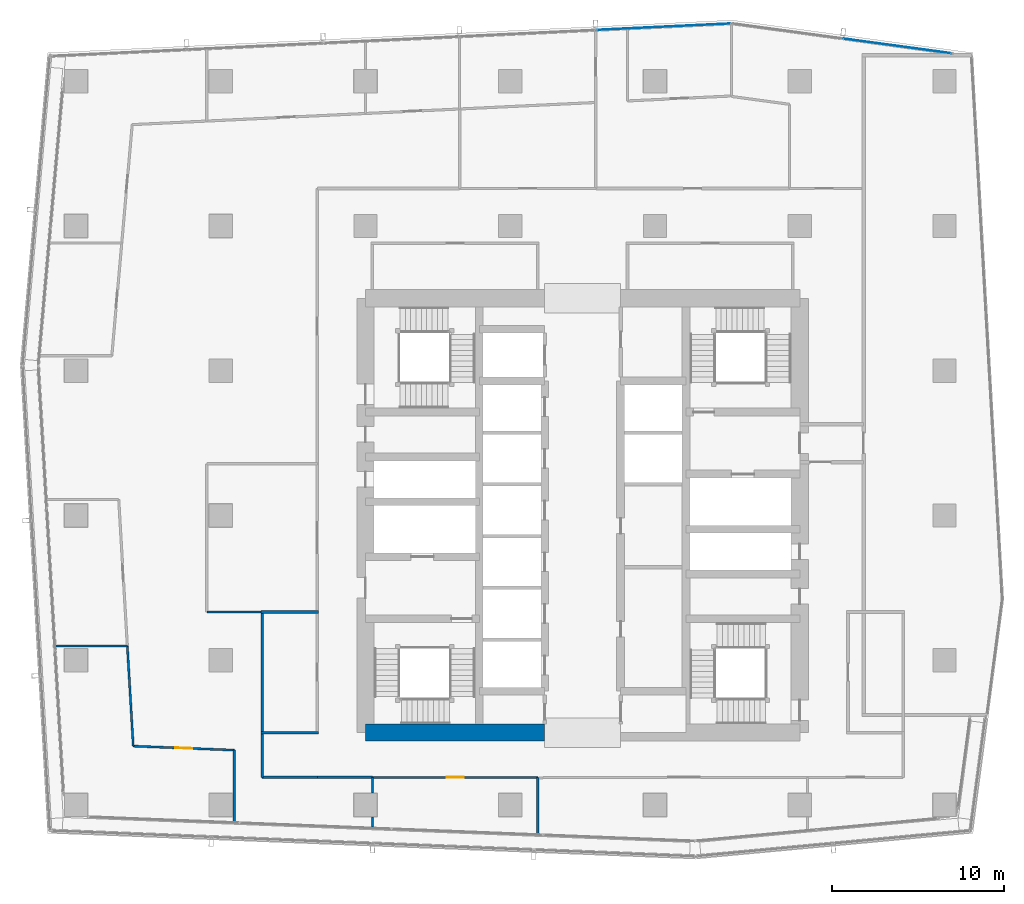
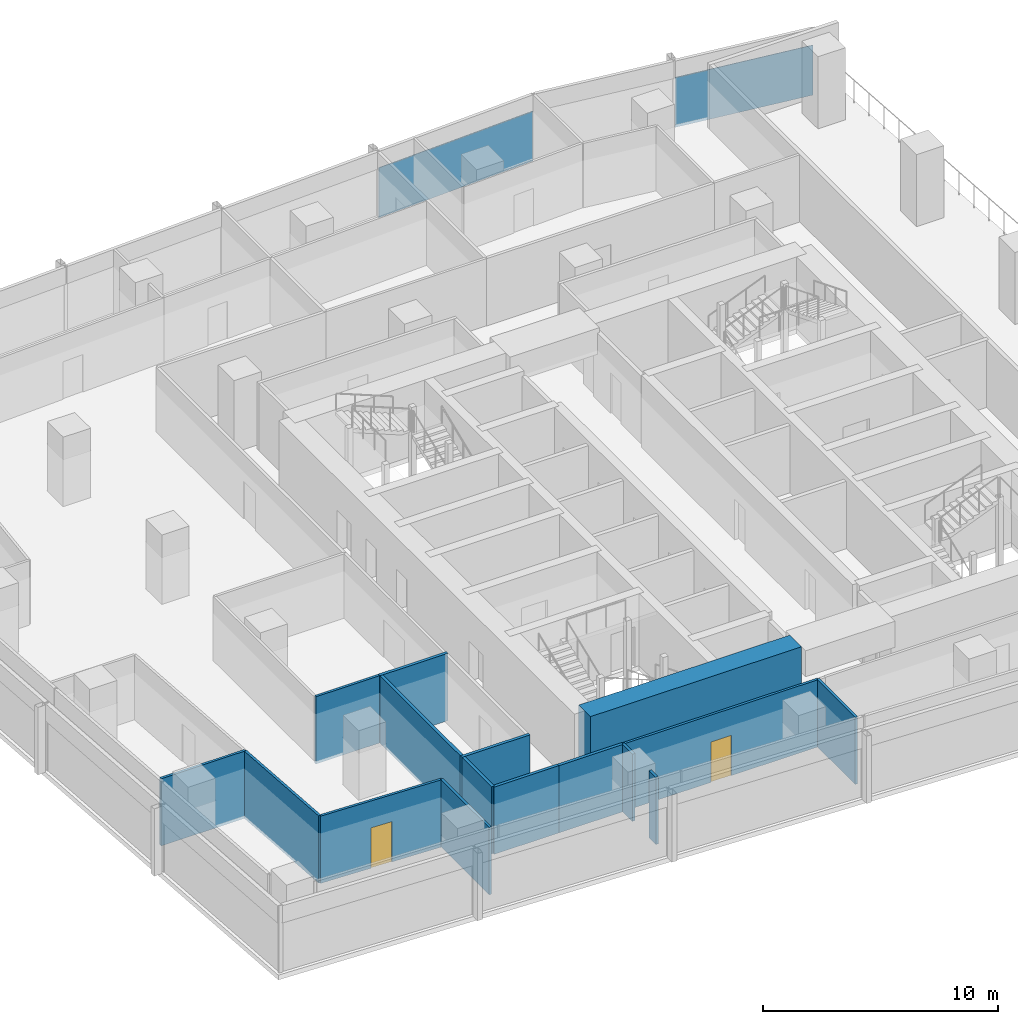
# One storey, part 22 of 33: 16 walls, 2 doors, 2 plates, 2 openings, 2 elements without a shape of their own.
"""IFC4 building model written with IfcOpenShell, lengths in metres."""

from ifc_helpers import new_model, si_unit, direction, frame, frame_2d, origin, origin_2d, place, context, subcontext, project, spatial, rectangle, extrude, material, layer, layer_set, type_object, element, fill, aggregate, save


model = new_model("IFC4")

# Units and contexts
model_context = context("Model", 3, precision=1e-05, world=origin(), true_north=direction((0.0, 1.0)))
body_context = subcontext(model_context, "Body", "Model", "MODEL_VIEW")
ifc_project = project(units=[si_unit("LENGTHUNIT", "METRE"), si_unit("AREAUNIT", "SQUARE_METRE"), si_unit("VOLUMEUNIT", "CUBIC_METRE"), si_unit("PLANEANGLEUNIT", "RADIAN"), si_unit("MASSUNIT", "GRAM", prefix="KILO")], contexts=[model_context])

# Site, building, storey
site_placement = place(None, origin())
site = spatial("IfcSite", under=ifc_project, at=site_placement, CompositionType="ELEMENT")
building_placement = place(site_placement, origin())
building = spatial("IfcBuilding", under=site, at=building_placement, Name="Rekha Terrace Tower", CompositionType="ELEMENT")
storey_placement = place(building_placement, frame((0.0, 0.0, 206.449951171875)))
storey = spatial("IfcBuildingStorey", under=building, at=storey_placement, Name="L52", CompositionType="ELEMENT", Elevation=206.449951171875)

# Curtain wall, plate
ifc_material_1 = material(Name="Aluminium framing", Category="aluminium")
curtain_wall_type = type_object("IfcCurtainWallType", Name="CW3 north unitised glazing", PredefinedType="USERDEFINED", material=ifc_material_1)
curtain_wall_1_placement = place(storey_placement, origin())
curtain_wall_1 = element("IfcCurtainWall", 1, at=curtain_wall_1_placement, inside=storey, type_object=curtain_wall_type, Name="CW3 unitised curtain wall", ObjectType="UNITISED CURTAIN WALL", PredefinedType="USERDEFINED")
ifc_material_2 = material(Name="Double-glazed unit 28", Category="glass")
ifc_layer_1 = layer(ifc_material_2, 0.028076171875)
ifc_layer_set_1 = layer_set([ifc_layer_1], Name="Double-glazed unit 28")
plate_type = type_object("IfcPlateType", Name="CW3 jumbo vision panel, double-glazed unit 28", PredefinedType="CURTAIN_PANEL", material=ifc_layer_set_1)
plate_1_placement = place(storey_placement, frame((56.053466796875, 60.846435546875, 0.0), z_axis=(0.0, 0.0, 1.0), x_axis=(-0.990867270506, 0.134840840399, 0.0)))
plate_1 = element("IfcPlate", 2, at=plate_1_placement, type_object=plate_type, Name="CW3 panel 1.1", PredefinedType="CURTAIN_PANEL", context=body_context, shape_type="SweptSolid", body=[
    extrude(rectangle(XDim=6.348388671875, YDim=0.028076171875, at=origin_2d()), origin(), (0.0, 0.0, 1.0), 2.60009765625),
])
aggregate(curtain_wall_1, [plate_1])

curtain_wall_2_placement = place(storey_placement, origin())
curtain_wall_2 = element("IfcCurtainWall", 3, at=curtain_wall_2_placement, inside=storey, type_object=curtain_wall_type, Name="CW3 unitised curtain wall", ObjectType="UNITISED CURTAIN WALL", PredefinedType="USERDEFINED")
plate_2_placement = place(storey_placement, frame((42.50732421875, 61.95947265625, 0.0), z_axis=(0.0, 0.0, 1.0), x_axis=(-0.998858906204, -0.047758616983, 0.0)))
plate_2 = element("IfcPlate", 4, at=plate_2_placement, type_object=plate_type, Name="CW3 panel 1.1", PredefinedType="CURTAIN_PANEL", context=body_context, shape_type="SweptSolid", body=[
    extrude(rectangle(XDim=7.81298828125, YDim=0.028076171875, at=origin_2d()), origin(), (0.0, 0.0, 1.0), 2.60009765625),
])
aggregate(curtain_wall_2, [plate_2])

# Walls
ifc_material_3 = material(Name="Concrete M60", Category="concrete")
ifc_layer_2 = layer(ifc_material_3, 1.0)
ifc_layer_set_2 = layer_set([ifc_layer_2], Name="Concrete M60")
wall_type_1 = type_object("IfcWallType", Name="SW3 1000 core outer shear wall", PredefinedType="SHEAR", material=ifc_layer_set_2)
wall_1_placement = place(storey_placement, frame((25.199951171875, 21.0, 0.0), z_axis=(0.0, 0.0, 1.0), x_axis=(1.0, 0.0, 0.0)))
element("IfcWall", 5, at=wall_1_placement, inside=storey, type_object=wall_type_1, Name="Core wall S1 L52", PredefinedType="SHEAR", context=body_context, shape_type="SweptSolid", body=[
    extrude(rectangle(XDim=10.400146484375, YDim=1.0, at=frame_2d((5.2001953125, 0.0))), origin(), (0.0, 0.0, 1.0), 3.75),
])
ifc_material_4 = material(Name="Concrete block masonry, 1 hour", Category="masonry")
ifc_layer_3 = layer(ifc_material_4, 0.14990234375)
ifc_layer_set_3 = layer_set([ifc_layer_3], Name="Concrete block masonry, 1 hour")
wall_type_2 = type_object("IfcWallType", Name="WP2 150 tenancy partition", PredefinedType="PARTITIONING", material=ifc_layer_set_3)
for number, where, z_axis, x_axis, name in (
    (6, (19.125, 21.0, 0.0), (0.0, 0.0, 1.0), (1.0, 0.0, 0.0), "Men's WC wall L52"),
    (7, (19.125, 28.0, 0.0), (0.0, 0.0, 1.0), (1.0, 0.0, 0.0), "Men's WC wall L52"),
):
    element("IfcWall", number, at=place(storey_placement, frame(where, z_axis=z_axis, x_axis=x_axis)), inside=storey, type_object=wall_type_2, Name=name, PredefinedType="PARTITIONING", context=body_context, shape_type="SweptSolid", body=[
        extrude(rectangle(XDim=3.35009765625, YDim=0.14990234375, at=frame_2d((1.675048828125, 0.0))), origin(), (0.0, 0.0, 1.0), 3.5),
    ])
wall_2_placement = place(storey_placement, frame((19.199951171875, 21.074951171875, 0.0), z_axis=(0.0, 0.0, 1.0), x_axis=(0.0, 1.0, 0.0)))
element("IfcWall", 8, at=wall_2_placement, inside=storey, type_object=wall_type_2, Name="Men's WC wall L52", PredefinedType="PARTITIONING", context=body_context, shape_type="SweptSolid", body=[
    extrude(rectangle(XDim=6.85009765625, YDim=0.14990234375, at=frame_2d((3.425048828125, 0.0))), origin(), (0.0, 0.0, 1.0), 3.5),
])
wall_3_placement = place(storey_placement, frame((19.199951171875, 20.925048828125, 0.0), z_axis=(0.0, 0.0, 1.0), x_axis=(0.0, -1.0, 0.0)))
element("IfcWall", 9, at=wall_3_placement, inside=storey, type_object=wall_type_2, Name="Partition L52-O2", PredefinedType="PARTITIONING", context=body_context, shape_type="SweptSolid", body=[
    extrude(rectangle(XDim=2.525146484375, YDim=0.14990234375, at=frame_2d((1.2626953125, 0.0))), origin(), (0.0, 0.0, 1.0), 3.5),
])
wall_4_placement = place(storey_placement, frame((19.199951171875, 18.39990234375, 0.0), z_axis=(0.0, 0.0, 1.0), x_axis=(1.0, 0.0, 0.0)))
element("IfcWall", 10, at=wall_4_placement, inside=storey, type_object=wall_type_2, Name="Partition L52-O2", PredefinedType="PARTITIONING", context=body_context, shape_type="SweptSolid", body=[
    extrude(rectangle(XDim=3.199951171875, YDim=0.14990234375, at=frame_2d((1.60009765625, 0.0))), origin(), (0.0, 0.0, 1.0), 3.5),
])
wall_5_placement = place(storey_placement, frame((22.39990234375, 18.39990234375, 0.0), z_axis=(0.0, 0.0, 1.0), x_axis=(1.0, 0.0, 0.0)))
element("IfcWall", 11, at=wall_5_placement, inside=storey, type_object=wall_type_2, Name="Partition L52-O2", PredefinedType="PARTITIONING", context=body_context, shape_type="SweptSolid", body=[
    extrude(rectangle(XDim=3.201171875, YDim=0.14990234375, at=frame_2d((1.6005859375, 0.0))), origin(), (0.0, 0.0, 1.0), 3.5),
])
ifc_material_5 = material(Name="Two layers of fire-rated gypsum board each side on steel studs, acoustic quilt, 1 hour", Category="steel")
ifc_layer_4 = layer(ifc_material_5, 0.125)
ifc_layer_set_4 = layer_set([ifc_layer_4], Name="Two layers of fire-rated gypsum board each side on steel studs, acoustic quilt, 1 hour")
wall_type_3 = type_object("IfcWallType", Name="WP3 125 office partition", PredefinedType="PARTITIONING", material=ifc_layer_set_4)
wall_6_placement = place(storey_placement, frame((11.37890625, 26.02392578125, 0.0), z_axis=(0.0, 0.0, 1.0), x_axis=(-1.0, 0.0, 0.0)))
element("IfcWall", 12, at=wall_6_placement, inside=storey, type_object=wall_type_3, Name="Partition L52-09", PredefinedType="PARTITIONING", context=body_context, shape_type="SweptSolid", body=[
    extrude(rectangle(XDim=4.156982421875, YDim=0.125, at=frame_2d((2.07861328125, 0.0))), origin(), (0.0, 0.0, 1.0), 3.5),
])
wall_7_placement = place(storey_placement, frame((17.5849609375, 19.98193359375, 0.0), z_axis=(0.0, 0.0, 1.0), x_axis=(0.0, -1.0, 0.0)))
element("IfcWall", 13, at=wall_7_placement, inside=storey, type_object=wall_type_3, Name="Partition L52-10", PredefinedType="PARTITIONING", context=body_context, shape_type="SweptSolid", body=[
    extrude(rectangle(XDim=4.15283203125, YDim=0.125, at=frame_2d((2.076416015625, 0.0))), origin(), (0.0, 0.0, 1.0), 3.5),
])
wall_8_placement = place(storey_placement, frame((11.37890625, 26.02294921875, 0.0), z_axis=(0.0, 0.0, 1.0), x_axis=(0.058800752748, -0.998269738836, 0.0)))
element("IfcWall", 14, at=wall_8_placement, inside=storey, type_object=wall_type_3, Name="Partition L52-10", PredefinedType="PARTITIONING", context=body_context, shape_type="SweptSolid", body=[
    extrude(rectangle(XDim=5.81689453125, YDim=0.125, at=frame_2d((2.908447265625, 0.0))), origin(), (0.0, 0.0, 1.0), 3.5),
])

# Wall, opening, door
wall_9_placement = place(storey_placement, frame((11.720947265625, 20.216064453125, 0.0), z_axis=(0.0, 0.0, 1.0), x_axis=(0.999203880049, -0.039894938214, 0.0)))
wall_9 = element("IfcWall", 15, at=wall_9_placement, inside=storey, type_object=wall_type_3, Name="Partition L52-10", PredefinedType="PARTITIONING", context=body_context, shape_type="SweptSolid", body=[
    extrude(rectangle(XDim=5.86865234375, YDim=0.125, at=frame_2d((2.934326171875, 0.0))), origin(), (0.0, 0.0, 1.0), 3.5),
])
opening_1_placement = place(wall_9_placement, frame((2.43408203125, 0.0, 0.0)))
opening_1 = element("IfcOpeningElement", 16, at=opening_1_placement, cuts=wall_9, Name="Opening D9", PredefinedType="OPENING", context=body_context, shape_type="SweptSolid", body=[
    extrude(rectangle(XDim=1.0, YDim=2.10009765625, at=frame_2d((0.5, 1.050048828125))), frame((0.0, 0.072509765625, 0.0), z_axis=(0.0, -1.0, 0.0), x_axis=(1.0, 0.0, 0.0)), (0.0, 0.0, 1.0), 0.14501953125),
])
ifc_material_6 = material(Name="Timber fire door", Category="wood")
door_type = type_object("IfcDoorType", Name="D9 1000x2100 office door", OperationType="SINGLE_SWING_LEFT", PredefinedType="DOOR", material=ifc_material_6)
door_1_placement = place(opening_1_placement, origin())
door_1 = element("IfcDoor", 17, at=door_1_placement, inside=storey, type_object=door_type, Name="Door director's office L52", OperationType="SINGLE_SWING_LEFT", OverallHeight=2.10009765625, OverallWidth=1.0, PredefinedType="DOOR", context=body_context, shape_type="SweptSolid", body=[
    extrude(rectangle(XDim=1.0, YDim=2.10009765625, at=frame_2d((0.5, 1.050048828125))), frame((0.0, 0.02490234375, 0.0), z_axis=(0.0, -1.0, 0.0), x_axis=(1.0, 0.0, 0.0)), (0.0, 0.0, 1.0), 0.050048828125),
])
fill(opening_1, door_1)

# Walls
wall_10_placement = place(storey_placement, frame((25.60107421875, 15.509033203125, 0.0), z_axis=(0.0, 0.0, 1.0), x_axis=(0.0, 1.0, 0.0)))
element("IfcWall", 18, at=wall_10_placement, inside=storey, type_object=wall_type_3, Name="Partition L52-11", PredefinedType="PARTITIONING", context=body_context, shape_type="SweptSolid", body=[
    extrude(rectangle(XDim=0.595947265625, YDim=0.125, at=frame_2d((0.2978515625, 0.0))), origin(), (0.0, 0.0, 1.0), 3.5),
])
wall_11_placement = place(storey_placement, frame((25.60107421875, 17.4951171875, 0.0), z_axis=(0.0, 0.0, 1.0), x_axis=(0.0, 1.0, 0.0)))
element("IfcWall", 19, at=wall_11_placement, inside=storey, type_object=wall_type_3, Name="Partition L52-11", PredefinedType="PARTITIONING", context=body_context, shape_type="SweptSolid", body=[
    extrude(rectangle(XDim=0.90478515625, YDim=0.125, at=frame_2d((0.452392578125, 0.0))), origin(), (0.0, 0.0, 1.0), 3.5),
])

# Wall, opening, door
wall_12_placement = place(storey_placement, frame((25.60107421875, 18.39990234375, 0.0), z_axis=(0.0, 0.0, 1.0), x_axis=(1.0, 0.0, 0.0)))
wall_12 = element("IfcWall", 20, at=wall_12_placement, inside=storey, type_object=wall_type_3, Name="Partition L52-11", PredefinedType="PARTITIONING", context=body_context, shape_type="SweptSolid", body=[
    extrude(rectangle(XDim=9.596923828125, YDim=0.125, at=frame_2d((4.79833984375, 0.0))), origin(), (0.0, 0.0, 1.0), 3.5),
])
opening_2_placement = place(wall_12_placement, frame((4.299072265625, 0.0, 0.0)))
opening_2 = element("IfcOpeningElement", 21, at=opening_2_placement, cuts=wall_12, Name="Opening D9", PredefinedType="OPENING", context=body_context, shape_type="SweptSolid", body=[
    extrude(rectangle(XDim=1.0, YDim=2.10009765625, at=frame_2d((0.5, 1.050048828125))), frame((0.0, 0.072509765625, 0.0), z_axis=(0.0, -1.0, 0.0), x_axis=(1.0, 0.0, 0.0)), (0.0, 0.0, 1.0), 0.14501953125),
])
door_2_placement = place(opening_2_placement, origin())
door_2 = element("IfcDoor", 22, at=door_2_placement, inside=storey, type_object=door_type, Name="Door wellness room L52", OperationType="SINGLE_SWING_LEFT", OverallHeight=2.10009765625, OverallWidth=1.0, PredefinedType="DOOR", context=body_context, shape_type="SweptSolid", body=[
    extrude(rectangle(XDim=1.0, YDim=2.10009765625, at=frame_2d((0.5, 1.050048828125))), frame((0.0, 0.02490234375, 0.0), z_axis=(0.0, -1.0, 0.0), x_axis=(1.0, 0.0, 0.0)), (0.0, 0.0, 1.0), 0.050048828125),
])
fill(opening_2, door_2)

# Walls
wall_13_placement = place(storey_placement, frame((35.197998046875, 18.39990234375, 0.0), z_axis=(0.0, 0.0, 1.0), x_axis=(0.0, -1.0, 0.0)))
element("IfcWall", 23, at=wall_13_placement, inside=storey, type_object=wall_type_3, Name="Partition L52-11", PredefinedType="PARTITIONING", context=body_context, shape_type="SweptSolid", body=[
    extrude(rectangle(XDim=3.27392578125, YDim=0.125, at=frame_2d((1.636962890625, 0.0))), origin(), (0.0, 0.0, 1.0), 3.5),
])
wall_14_placement = place(storey_placement, frame((19.125, 28.0, 0.0), z_axis=(0.0, 0.0, 1.0), x_axis=(-1.0, 0.0, 0.0)))
element("IfcWall", 24, at=wall_14_placement, inside=storey, type_object=wall_type_3, Name="Partition L52-12", PredefinedType="PARTITIONING", context=body_context, shape_type="SweptSolid", body=[
    extrude(rectangle(XDim=3.135986328125, YDim=0.125, at=frame_2d((1.56787109375, 0.0))), origin(), (0.0, 0.0, 1.0), 3.5),
])

save(model, "model.ifc")
